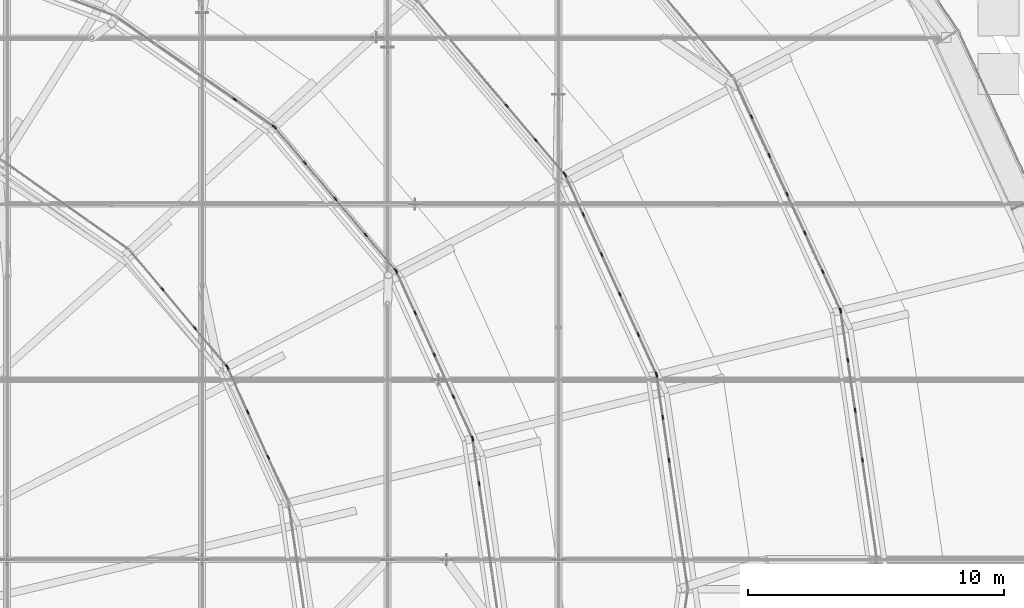
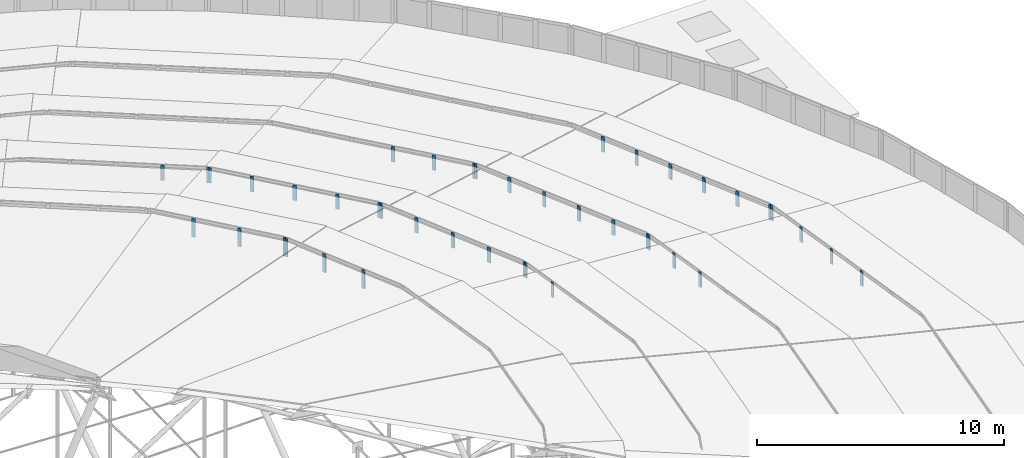
# One storey, part 134 of 173: 42 members, 11 elements without a shape of their own.
"""IFC4 building model written with IfcOpenShell, lengths in metres."""

from ifc_helpers import new_model, si_unit, direction, frame, origin, origin_2d, place, context, subcontext, project, spatial, rectangle, extrude, material, material_profile, profile_set, type_object, element, aggregate, save


model = new_model("IFC4")

# Units and contexts
model_context = context("Model", 3, precision=1e-05, world=origin(), true_north=direction((0.0, 1.0)))
body_context = subcontext(model_context, "Body", "Model", "MODEL_VIEW")
ifc_project = project(units=[si_unit("LENGTHUNIT", "METRE"), si_unit("AREAUNIT", "SQUARE_METRE"), si_unit("VOLUMEUNIT", "CUBIC_METRE"), si_unit("PLANEANGLEUNIT", "RADIAN"), si_unit("MASSUNIT", "GRAM", prefix="KILO")], contexts=[model_context])

# Site, building, storey
site_placement = place(None, origin())
site = spatial("IfcSite", under=ifc_project, at=site_placement, CompositionType="ELEMENT")
building_placement = place(site_placement, origin())
building = spatial("IfcBuilding", under=site, at=building_placement, Name="Glasvene Arena", CompositionType="ELEMENT")
storey_placement = place(building_placement, frame((0.0, 0.0, 28.800048828125)))
storey = spatial("IfcBuildingStorey", under=building, at=storey_placement, Name="RF", CompositionType="ELEMENT", Elevation=28.800048828125)

# Curtain wall, members
ifc_material_1 = material(Name="Low-emissivity laminated double glazing", Category="glass")
curtain_wall_type_1 = type_object("IfcCurtainWallType", Name="CW-PET1-986x75", PredefinedType="USERDEFINED", material=ifc_material_1)
curtain_wall_1_placement = place(storey_placement, frame((133.85009765625, 73.0, 0.0)))
curtain_wall_1 = element("IfcCurtainWall", 1, at=curtain_wall_1_placement, inside=storey, type_object=curtain_wall_type_1, Name="Petal ring 1-2 clerestory curtain wall 01", ObjectType="CURTAIN WALL", PredefinedType="USERDEFINED")
ifc_material_2 = material(Name="Anodised architectural aluminium", Category="aluminium")
ifc_material_profile = material_profile(ifc_material_2, rectangle(XDim=0.050048828125, YDim=0.159912109375, at=origin_2d()), Name="ALU MULLION 50x160")
ifc_profile_set = profile_set([ifc_material_profile], Name="Anodised architectural aluminium")
member_type = type_object("IfcMemberType", Name="CW-MUL-150", PredefinedType="MULLION", material=ifc_profile_set)
member_1_placement = place(storey_placement, frame((133.279541015625, 76.903076171875, 2.579833984375), z_axis=(0.0, 0.0, 1.0), x_axis=(-0.989489040641, -0.144607878249, 0.0)))
member_1 = element("IfcMember", 2, at=member_1_placement, type_object=member_type, Name="CW-081 mullion 3", PredefinedType="MULLION", context=body_context, shape_type="SweptSolid", body=[
    extrude(rectangle(XDim=0.050048828125, YDim=0.159912109375, at=origin_2d()), origin(), (0.0, 0.0, 1.0), 0.75),
])
member_2_placement = place(storey_placement, frame((132.994384765625, 78.8544921875, 2.579833984375), z_axis=(0.0, 0.0, 1.0), x_axis=(-0.989489040641, -0.144607878249, 0.0)))
member_2 = element("IfcMember", 3, at=member_2_placement, type_object=member_type, Name="CW-081 mullion 4", PredefinedType="MULLION", context=body_context, shape_type="SweptSolid", body=[
    extrude(rectangle(XDim=0.050048828125, YDim=0.159912109375, at=origin_2d()), origin(), (0.0, 0.0, 1.0), 0.75),
])
member_3_placement = place(storey_placement, frame((132.709228515625, 80.805908203125, 2.579833984375), z_axis=(0.0, 0.0, 1.0), x_axis=(-0.989489040641, -0.144607878249, 0.0)))
member_3 = element("IfcMember", 4, at=member_3_placement, type_object=member_type, Name="CW-081 mullion 5", PredefinedType="MULLION", context=body_context, shape_type="SweptSolid", body=[
    extrude(rectangle(XDim=0.050048828125, YDim=0.159912109375, at=origin_2d()), origin(), (0.0, 0.0, 1.0), 0.75),
])
member_4_placement = place(storey_placement, frame((132.427734375, 82.732666015625, 2.579833984375), z_axis=(0.0, 0.0, 1.0), x_axis=(-0.989489040641, -0.144607878249, 0.0)))
member_4 = element("IfcMember", 5, at=member_4_placement, type_object=member_type, Name="CW-081 mullion 6", PredefinedType="MULLION", context=body_context, shape_type="SweptSolid", body=[
    extrude(rectangle(XDim=0.050048828125, YDim=0.159912109375, at=origin_2d()), origin(), (0.0, 0.0, 1.0), 0.75),
])
aggregate(curtain_wall_1, [member_1, member_2, member_3, member_4])

curtain_wall_type_2 = type_object("IfcCurtainWallType", Name="CW-PET1-1001x75", PredefinedType="USERDEFINED", material=ifc_material_1)
curtain_wall_2_placement = place(storey_placement, frame((132.424072265625, 82.757568359375, 0.0)))
curtain_wall_2 = element("IfcCurtainWall", 6, at=curtain_wall_2_placement, inside=storey, type_object=curtain_wall_type_2, Name="Petal ring 1-2 clerestory curtain wall 02", ObjectType="CURTAIN WALL", PredefinedType="USERDEFINED")
member_5_placement = place(storey_placement, frame((132.41357421875, 82.7802734375, 2.579833984375), z_axis=(0.0, 0.0, 1.0), x_axis=(-0.908556831634, -0.41776127596, 0.0)))
member_5 = element("IfcMember", 7, at=member_5_placement, type_object=member_type, Name="CW-082 mullion 1", PredefinedType="MULLION", context=body_context, shape_type="SweptSolid", body=[
    extrude(rectangle(XDim=0.050048828125, YDim=0.159912109375, at=origin_2d()), origin(), (0.0, 0.0, 1.0), 0.75),
])
member_6_placement = place(storey_placement, frame((131.727294921875, 84.27294921875, 2.579833984375), z_axis=(0.0, 0.0, 1.0), x_axis=(-0.908556831634, -0.41776127596, 0.0)))
member_6 = element("IfcMember", 8, at=member_6_placement, type_object=member_type, Name="CW-082 mullion 2", PredefinedType="MULLION", context=body_context, shape_type="SweptSolid", body=[
    extrude(rectangle(XDim=0.050048828125, YDim=0.159912109375, at=origin_2d()), origin(), (0.0, 0.0, 1.0), 0.75),
])
member_7_placement = place(storey_placement, frame((131.030517578125, 85.788330078125, 2.579833984375), z_axis=(0.0, 0.0, 1.0), x_axis=(-0.908556831634, -0.41776127596, 0.0)))
member_7 = element("IfcMember", 9, at=member_7_placement, type_object=member_type, Name="CW-082 mullion 3", PredefinedType="MULLION", context=body_context, shape_type="SweptSolid", body=[
    extrude(rectangle(XDim=0.050048828125, YDim=0.159912109375, at=origin_2d()), origin(), (0.0, 0.0, 1.0), 0.75),
])
member_8_placement = place(storey_placement, frame((130.33349609375, 87.3037109375, 2.579833984375), z_axis=(0.0, 0.0, 1.0), x_axis=(-0.908556831634, -0.41776127596, 0.0)))
member_8 = element("IfcMember", 10, at=member_8_placement, type_object=member_type, Name="CW-082 mullion 4", PredefinedType="MULLION", context=body_context, shape_type="SweptSolid", body=[
    extrude(rectangle(XDim=0.050048828125, YDim=0.159912109375, at=origin_2d()), origin(), (0.0, 0.0, 1.0), 0.75),
])
member_9_placement = place(storey_placement, frame((129.63671875, 88.819091796875, 2.579833984375), z_axis=(0.0, 0.0, 1.0), x_axis=(-0.908556831634, -0.41776127596, 0.0)))
member_9 = element("IfcMember", 11, at=member_9_placement, type_object=member_type, Name="CW-082 mullion 5", PredefinedType="MULLION", context=body_context, shape_type="SweptSolid", body=[
    extrude(rectangle(XDim=0.050048828125, YDim=0.159912109375, at=origin_2d()), origin(), (0.0, 0.0, 1.0), 0.75),
])
member_10_placement = place(storey_placement, frame((128.93994140625, 90.33447265625, 2.579833984375), z_axis=(0.0, 0.0, 1.0), x_axis=(-0.908556831634, -0.41776127596, 0.0)))
member_10 = element("IfcMember", 12, at=member_10_placement, type_object=member_type, Name="CW-082 mullion 6", PredefinedType="MULLION", context=body_context, shape_type="SweptSolid", body=[
    extrude(rectangle(XDim=0.050048828125, YDim=0.159912109375, at=origin_2d()), origin(), (0.0, 0.0, 1.0), 0.75),
])
aggregate(curtain_wall_2, [member_5, member_6, member_7, member_8, member_9, member_10])

curtain_wall_type_3 = type_object("IfcCurtainWallType", Name="CW-PET2-849x75", PredefinedType="USERDEFINED", material=ifc_material_1)
curtain_wall_3_placement = place(storey_placement, frame((126.449951171875, 71.85009765625, 0.0)))
curtain_wall_3 = element("IfcCurtainWall", 13, at=curtain_wall_3_placement, inside=storey, type_object=curtain_wall_type_3, Name="Petal ring 2-3 clerestory curtain wall 01", ObjectType="CURTAIN WALL", PredefinedType="USERDEFINED")
member_11_placement = place(storey_placement, frame((125.716064453125, 76.88916015625, 5.179931640625), z_axis=(0.0, 0.0, 1.0), x_axis=(-0.98955837799, -0.144132635268, 0.0)))
member_11 = element("IfcMember", 14, at=member_11_placement, type_object=member_type, Name="CW-087 mullion 4", PredefinedType="MULLION", context=body_context, shape_type="SweptSolid", body=[
    extrude(rectangle(XDim=0.050048828125, YDim=0.159912109375, at=origin_2d()), origin(), (0.0, 0.0, 1.0), 0.75),
])
member_12_placement = place(storey_placement, frame((125.471435546875, 78.56884765625, 5.179931640625), z_axis=(0.0, 0.0, 1.0), x_axis=(-0.98955837799, -0.144132635268, 0.0)))
member_12 = element("IfcMember", 15, at=member_12_placement, type_object=member_type, Name="CW-087 mullion 5", PredefinedType="MULLION", context=body_context, shape_type="SweptSolid", body=[
    extrude(rectangle(XDim=0.050048828125, YDim=0.159912109375, at=origin_2d()), origin(), (0.0, 0.0, 1.0), 0.75),
])
member_13_placement = place(storey_placement, frame((125.230224609375, 80.223876953125, 5.179931640625), z_axis=(0.0, 0.0, 1.0), x_axis=(-0.98955837799, -0.144132635268, 0.0)))
member_13 = element("IfcMember", 16, at=member_13_placement, type_object=member_type, Name="CW-087 mullion 6", PredefinedType="MULLION", context=body_context, shape_type="SweptSolid", body=[
    extrude(rectangle(XDim=0.050048828125, YDim=0.159912109375, at=origin_2d()), origin(), (0.0, 0.0, 1.0), 0.75),
])
aggregate(curtain_wall_3, [member_11, member_12, member_13])

curtain_wall_type_4 = type_object("IfcCurtainWallType", Name="CW-PET2-861x75", PredefinedType="USERDEFINED", material=ifc_material_1)
curtain_wall_4_placement = place(storey_placement, frame((125.226806640625, 80.248779296875, 0.0)))
curtain_wall_4 = element("IfcCurtainWall", 17, at=curtain_wall_4_placement, inside=storey, type_object=curtain_wall_type_4, Name="Petal ring 2-3 clerestory curtain wall 02", ObjectType="CURTAIN WALL", PredefinedType="USERDEFINED")
member_14_placement = place(storey_placement, frame((125.21630859375, 80.271484375, 5.179931640625), z_axis=(0.0, 0.0, 1.0), x_axis=(-0.909093602111, -0.416591913749, 0.0)))
member_14 = element("IfcMember", 18, at=member_14_placement, type_object=member_type, Name="CW-088 mullion 1", PredefinedType="MULLION", context=body_context, shape_type="SweptSolid", body=[
    extrude(rectangle(XDim=0.050048828125, YDim=0.159912109375, at=origin_2d()), origin(), (0.0, 0.0, 1.0), 0.75),
])
member_15_placement = place(storey_placement, frame((124.509521484375, 81.81396484375, 5.179931640625), z_axis=(0.0, 0.0, 1.0), x_axis=(-0.909093602111, -0.416591913749, 0.0)))
member_15 = element("IfcMember", 19, at=member_15_placement, type_object=member_type, Name="CW-088 mullion 2", PredefinedType="MULLION", context=body_context, shape_type="SweptSolid", body=[
    extrude(rectangle(XDim=0.050048828125, YDim=0.159912109375, at=origin_2d()), origin(), (0.0, 0.0, 1.0), 0.75),
])
member_16_placement = place(storey_placement, frame((123.792236328125, 83.379150390625, 5.179931640625), z_axis=(0.0, 0.0, 1.0), x_axis=(-0.909093602111, -0.416591913749, 0.0)))
member_16 = element("IfcMember", 20, at=member_16_placement, type_object=member_type, Name="CW-088 mullion 3", PredefinedType="MULLION", context=body_context, shape_type="SweptSolid", body=[
    extrude(rectangle(XDim=0.050048828125, YDim=0.159912109375, at=origin_2d()), origin(), (0.0, 0.0, 1.0), 0.75),
])
member_17_placement = place(storey_placement, frame((123.074951171875, 84.944580078125, 5.179931640625), z_axis=(0.0, 0.0, 1.0), x_axis=(-0.909093602111, -0.416591913749, 0.0)))
member_17 = element("IfcMember", 21, at=member_17_placement, type_object=member_type, Name="CW-088 mullion 4", PredefinedType="MULLION", context=body_context, shape_type="SweptSolid", body=[
    extrude(rectangle(XDim=0.050048828125, YDim=0.159912109375, at=origin_2d()), origin(), (0.0, 0.0, 1.0), 0.75),
])
member_18_placement = place(storey_placement, frame((122.357666015625, 86.509765625, 5.179931640625), z_axis=(0.0, 0.0, 1.0), x_axis=(-0.909093602111, -0.416591913749, 0.0)))
member_18 = element("IfcMember", 22, at=member_18_placement, type_object=member_type, Name="CW-088 mullion 5", PredefinedType="MULLION", context=body_context, shape_type="SweptSolid", body=[
    extrude(rectangle(XDim=0.050048828125, YDim=0.159912109375, at=origin_2d()), origin(), (0.0, 0.0, 1.0), 0.75),
])
member_19_placement = place(storey_placement, frame((121.650634765625, 88.05224609375, 5.179931640625), z_axis=(0.0, 0.0, 1.0), x_axis=(-0.909093602111, -0.416591913749, 0.0)))
member_19 = element("IfcMember", 23, at=member_19_placement, type_object=member_type, Name="CW-088 mullion 6", PredefinedType="MULLION", context=body_context, shape_type="SweptSolid", body=[
    extrude(rectangle(XDim=0.050048828125, YDim=0.159912109375, at=origin_2d()), origin(), (0.0, 0.0, 1.0), 0.75),
])
aggregate(curtain_wall_4, [member_14, member_15, member_16, member_17, member_18, member_19])

curtain_wall_type_5 = type_object("IfcCurtainWallType", Name="CW-PET2-882x75", PredefinedType="USERDEFINED", material=ifc_material_1)
curtain_wall_5_placement = place(storey_placement, frame((121.640380859375, 88.074951171875, 0.0)))
curtain_wall_5 = element("IfcCurtainWall", 24, at=curtain_wall_5_placement, inside=storey, type_object=curtain_wall_type_5, Name="Petal ring 2-3 clerestory curtain wall 03", ObjectType="CURTAIN WALL", PredefinedType="USERDEFINED")
member_20_placement = place(storey_placement, frame((121.6240234375, 88.093994140625, 5.179931640625), z_axis=(0.0, 0.0, 1.0), x_axis=(-0.762348353305, -0.647166893632, 0.0)))
member_20 = element("IfcMember", 25, at=member_20_placement, type_object=member_type, Name="CW-089 mullion 1", PredefinedType="MULLION", context=body_context, shape_type="SweptSolid", body=[
    extrude(rectangle(XDim=0.050048828125, YDim=0.159912109375, at=origin_2d()), origin(), (0.0, 0.0, 1.0), 0.75),
])
member_21_placement = place(storey_placement, frame((120.499267578125, 89.419189453125, 5.179931640625), z_axis=(0.0, 0.0, 1.0), x_axis=(-0.762348353305, -0.647166893632, 0.0)))
member_21 = element("IfcMember", 26, at=member_21_placement, type_object=member_type, Name="CW-089 mullion 2", PredefinedType="MULLION", context=body_context, shape_type="SweptSolid", body=[
    extrude(rectangle(XDim=0.050048828125, YDim=0.159912109375, at=origin_2d()), origin(), (0.0, 0.0, 1.0), 0.75),
])
member_22_placement = place(storey_placement, frame((119.358154296875, 90.76318359375, 5.179931640625), z_axis=(0.0, 0.0, 1.0), x_axis=(-0.762348353305, -0.647166893632, 0.0)))
member_22 = element("IfcMember", 27, at=member_22_placement, type_object=member_type, Name="CW-089 mullion 3", PredefinedType="MULLION", context=body_context, shape_type="SweptSolid", body=[
    extrude(rectangle(XDim=0.050048828125, YDim=0.159912109375, at=origin_2d()), origin(), (0.0, 0.0, 1.0), 0.75),
])
aggregate(curtain_wall_5, [member_20, member_21, member_22])

curtain_wall_type_6 = type_object("IfcCurtainWallType", Name="CW-PET3-711x75", PredefinedType="USERDEFINED", material=ifc_material_1)
curtain_wall_6_placement = place(storey_placement, frame((119.050048828125, 70.699951171875, 0.0)))
curtain_wall_6 = element("IfcCurtainWall", 28, at=curtain_wall_6_placement, inside=storey, type_object=curtain_wall_type_6, Name="Petal ring 3-4 clerestory curtain wall 01", ObjectType="CURTAIN WALL", PredefinedType="USERDEFINED")
member_23_placement = place(storey_placement, frame((118.28466796875, 75.97998046875, 7.829833984375), z_axis=(0.0, 0.0, 1.0), x_axis=(-0.989656115979, -0.143460001758, 0.0)))
member_23 = element("IfcMember", 29, at=member_23_placement, type_object=member_type, Name="CW-093 mullion 4", PredefinedType="MULLION", context=body_context, shape_type="SweptSolid", body=[
    extrude(rectangle(XDim=0.050048828125, YDim=0.159912109375, at=origin_2d()), origin(), (0.0, 0.0, 1.0), 0.75),
])
member_24_placement = place(storey_placement, frame((118.033203125, 77.715087890625, 7.829833984375), z_axis=(0.0, 0.0, 1.0), x_axis=(-0.989656115979, -0.143460001758, 0.0)))
member_24 = element("IfcMember", 30, at=member_24_placement, type_object=member_type, Name="CW-093 mullion 5", PredefinedType="MULLION", context=body_context, shape_type="SweptSolid", body=[
    extrude(rectangle(XDim=0.050048828125, YDim=0.159912109375, at=origin_2d()), origin(), (0.0, 0.0, 1.0), 0.75),
])
aggregate(curtain_wall_6, [member_23, member_24])

curtain_wall_type_7 = type_object("IfcCurtainWallType", Name="CW-PET3-721x75", PredefinedType="USERDEFINED", material=ifc_material_1)
curtain_wall_7_placement = place(storey_placement, frame((118.029541015625, 77.739990234375, 0.0)))
curtain_wall_7 = element("IfcCurtainWall", 31, at=curtain_wall_7_placement, inside=storey, type_object=curtain_wall_type_7, Name="Petal ring 3-4 clerestory curtain wall 02", ObjectType="CURTAIN WALL", PredefinedType="USERDEFINED")
member_25_placement = place(storey_placement, frame((118.01904296875, 77.7626953125, 7.829833984375), z_axis=(0.0, 0.0, 1.0), x_axis=(-0.909836135842, -0.414967716717, 0.0)))
member_25 = element("IfcMember", 32, at=member_25_placement, type_object=member_type, Name="CW-094 mullion 1", PredefinedType="MULLION", context=body_context, shape_type="SweptSolid", body=[
    extrude(rectangle(XDim=0.050048828125, YDim=0.159912109375, at=origin_2d()), origin(), (0.0, 0.0, 1.0), 0.75),
])
member_26_placement = place(storey_placement, frame((117.281494140625, 79.3798828125, 7.829833984375), z_axis=(0.0, 0.0, 1.0), x_axis=(-0.909836135842, -0.414967716717, 0.0)))
member_26 = element("IfcMember", 33, at=member_26_placement, type_object=member_type, Name="CW-094 mullion 2", PredefinedType="MULLION", context=body_context, shape_type="SweptSolid", body=[
    extrude(rectangle(XDim=0.050048828125, YDim=0.159912109375, at=origin_2d()), origin(), (0.0, 0.0, 1.0), 0.75),
])
member_27_placement = place(storey_placement, frame((116.533447265625, 81.02001953125, 7.829833984375), z_axis=(0.0, 0.0, 1.0), x_axis=(-0.909836135842, -0.414967716717, 0.0)))
member_27 = element("IfcMember", 34, at=member_27_placement, type_object=member_type, Name="CW-094 mullion 3", PredefinedType="MULLION", context=body_context, shape_type="SweptSolid", body=[
    extrude(rectangle(XDim=0.050048828125, YDim=0.159912109375, at=origin_2d()), origin(), (0.0, 0.0, 1.0), 0.75),
])
member_28_placement = place(storey_placement, frame((115.785400390625, 82.659912109375, 7.829833984375), z_axis=(0.0, 0.0, 1.0), x_axis=(-0.909836135842, -0.414967716717, 0.0)))
member_28 = element("IfcMember", 35, at=member_28_placement, type_object=member_type, Name="CW-094 mullion 4", PredefinedType="MULLION", context=body_context, shape_type="SweptSolid", body=[
    extrude(rectangle(XDim=0.050048828125, YDim=0.159912109375, at=origin_2d()), origin(), (0.0, 0.0, 1.0), 0.75),
])
member_29_placement = place(storey_placement, frame((115.0478515625, 84.27734375, 7.829833984375), z_axis=(0.0, 0.0, 1.0), x_axis=(-0.909836135842, -0.414967716717, 0.0)))
member_29 = element("IfcMember", 36, at=member_29_placement, type_object=member_type, Name="CW-094 mullion 5", PredefinedType="MULLION", context=body_context, shape_type="SweptSolid", body=[
    extrude(rectangle(XDim=0.050048828125, YDim=0.159912109375, at=origin_2d()), origin(), (0.0, 0.0, 1.0), 0.75),
])
aggregate(curtain_wall_7, [member_25, member_26, member_27, member_28, member_29])

curtain_wall_type_8 = type_object("IfcCurtainWallType", Name="CW-PET3-737x75", PredefinedType="USERDEFINED", material=ifc_material_1)
curtain_wall_8_placement = place(storey_placement, frame((115.03759765625, 84.300048828125, 0.0)))
curtain_wall_8 = element("IfcCurtainWall", 37, at=curtain_wall_8_placement, inside=storey, type_object=curtain_wall_type_8, Name="Petal ring 3-4 clerestory curtain wall 03", ObjectType="CURTAIN WALL", PredefinedType="USERDEFINED")
member_30_placement = place(storey_placement, frame((115.021484375, 84.319091796875, 7.829833984375), z_axis=(0.0, 0.0, 1.0), x_axis=(-0.763850012044, -0.645393801566, 0.0)))
member_30 = element("IfcMember", 38, at=member_30_placement, type_object=member_type, Name="CW-095 mullion 1", PredefinedType="MULLION", context=body_context, shape_type="SweptSolid", body=[
    extrude(rectangle(XDim=0.050048828125, YDim=0.159912109375, at=origin_2d()), origin(), (0.0, 0.0, 1.0), 0.75),
])
member_31_placement = place(storey_placement, frame((113.84765625, 85.708251953125, 7.829833984375), z_axis=(0.0, 0.0, 1.0), x_axis=(-0.763850012044, -0.645393801566, 0.0)))
member_31 = element("IfcMember", 39, at=member_31_placement, type_object=member_type, Name="CW-095 mullion 2", PredefinedType="MULLION", context=body_context, shape_type="SweptSolid", body=[
    extrude(rectangle(XDim=0.050048828125, YDim=0.159912109375, at=origin_2d()), origin(), (0.0, 0.0, 1.0), 0.75),
])
member_32_placement = place(storey_placement, frame((112.65771484375, 87.11669921875, 7.829833984375), z_axis=(0.0, 0.0, 1.0), x_axis=(-0.763850012044, -0.645393801566, 0.0)))
member_32 = element("IfcMember", 40, at=member_32_placement, type_object=member_type, Name="CW-095 mullion 3", PredefinedType="MULLION", context=body_context, shape_type="SweptSolid", body=[
    extrude(rectangle(XDim=0.050048828125, YDim=0.159912109375, at=origin_2d()), origin(), (0.0, 0.0, 1.0), 0.75),
])
member_33_placement = place(storey_placement, frame((111.4677734375, 88.52490234375, 7.829833984375), z_axis=(0.0, 0.0, 1.0), x_axis=(-0.763850012044, -0.645393801566, 0.0)))
member_33 = element("IfcMember", 41, at=member_33_placement, type_object=member_type, Name="CW-095 mullion 4", PredefinedType="MULLION", context=body_context, shape_type="SweptSolid", body=[
    extrude(rectangle(XDim=0.050048828125, YDim=0.159912109375, at=origin_2d()), origin(), (0.0, 0.0, 1.0), 0.75),
])
member_34_placement = place(storey_placement, frame((110.2939453125, 89.914306640625, 7.829833984375), z_axis=(0.0, 0.0, 1.0), x_axis=(-0.763850012044, -0.645393801566, 0.0)))
member_34 = element("IfcMember", 42, at=member_34_placement, type_object=member_type, Name="CW-095 mullion 5", PredefinedType="MULLION", context=body_context, shape_type="SweptSolid", body=[
    extrude(rectangle(XDim=0.050048828125, YDim=0.159912109375, at=origin_2d()), origin(), (0.0, 0.0, 1.0), 0.75),
])
aggregate(curtain_wall_8, [member_30, member_31, member_32, member_33, member_34])

curtain_wall_type_9 = type_object("IfcCurtainWallType", Name="CW-PET3-756x75", PredefinedType="USERDEFINED", material=ifc_material_1)
curtain_wall_9_placement = place(storey_placement, frame((110.27783203125, 89.933349609375, 0.0)))
curtain_wall_9 = element("IfcCurtainWall", 43, at=curtain_wall_9_placement, inside=storey, type_object=curtain_wall_type_9, Name="Petal ring 3-4 clerestory curtain wall 04", ObjectType="CURTAIN WALL", PredefinedType="USERDEFINED")
member_35_placement = place(storey_placement, frame((110.25732421875, 89.947509765625, 7.829833984375), z_axis=(0.0, 0.0, 1.0), x_axis=(-0.571742483725, -0.82043313701, 0.0)))
member_35 = element("IfcMember", 44, at=member_35_placement, type_object=member_type, Name="CW-096 mullion 1", PredefinedType="MULLION", context=body_context, shape_type="SweptSolid", body=[
    extrude(rectangle(XDim=0.050048828125, YDim=0.159912109375, at=origin_2d()), origin(), (0.0, 0.0, 1.0), 0.75),
])
member_36_placement = place(storey_placement, frame((108.72705078125, 91.013916015625, 7.829833984375), z_axis=(0.0, 0.0, 1.0), x_axis=(-0.571742483725, -0.82043313701, 0.0)))
member_36 = element("IfcMember", 45, at=member_36_placement, type_object=member_type, Name="CW-096 mullion 2", PredefinedType="MULLION", context=body_context, shape_type="SweptSolid", body=[
    extrude(rectangle(XDim=0.050048828125, YDim=0.159912109375, at=origin_2d()), origin(), (0.0, 0.0, 1.0), 0.75),
])
aggregate(curtain_wall_9, [member_35, member_36])

curtain_wall_type_10 = type_object("IfcCurtainWallType", Name="CW-PET4-582x92", PredefinedType="USERDEFINED", material=ifc_material_1)
curtain_wall_10_placement = place(storey_placement, frame((110.832275390625, 75.243896484375, 0.0)))
curtain_wall_10 = element("IfcCurtainWall", 46, at=curtain_wall_10_placement, inside=storey, type_object=curtain_wall_type_10, Name="Petal ring 4-5 clerestory curtain wall 02", ObjectType="CURTAIN WALL", PredefinedType="USERDEFINED")
member_37_placement = place(storey_placement, frame((110.032958984375, 77.0126953125, 10.530029296875), z_axis=(0.0, 0.0, 1.0), x_axis=(-0.911284127649, -0.411778142566, 0.0)))
member_37 = element("IfcMember", 47, at=member_37_placement, type_object=member_type, Name="CW-100 mullion 2", PredefinedType="MULLION", context=body_context, shape_type="SweptSolid", body=[
    extrude(rectangle(XDim=0.050048828125, YDim=0.159912109375, at=origin_2d()), origin(), (0.0, 0.0, 1.0), 0.916015625),
])
member_38_placement = place(storey_placement, frame((109.23388671875, 78.78125, 10.530029296875), z_axis=(0.0, 0.0, 1.0), x_axis=(-0.911284127649, -0.411778142566, 0.0)))
member_38 = element("IfcMember", 48, at=member_38_placement, type_object=member_type, Name="CW-100 mullion 3", PredefinedType="MULLION", context=body_context, shape_type="SweptSolid", body=[
    extrude(rectangle(XDim=0.050048828125, YDim=0.159912109375, at=origin_2d()), origin(), (0.0, 0.0, 1.0), 0.916015625),
])
member_39_placement = place(storey_placement, frame((108.44482421875, 80.527099609375, 10.530029296875), z_axis=(0.0, 0.0, 1.0), x_axis=(-0.911284127649, -0.411778142566, 0.0)))
member_39 = element("IfcMember", 49, at=member_39_placement, type_object=member_type, Name="CW-100 mullion 4", PredefinedType="MULLION", context=body_context, shape_type="SweptSolid", body=[
    extrude(rectangle(XDim=0.050048828125, YDim=0.159912109375, at=origin_2d()), origin(), (0.0, 0.0, 1.0), 0.916015625),
])
aggregate(curtain_wall_10, [member_37, member_38, member_39])

curtain_wall_type_11 = type_object("IfcCurtainWallType", Name="CW-PET4-594x92", PredefinedType="USERDEFINED", material=ifc_material_1)
curtain_wall_11_placement = place(storey_placement, frame((108.4345703125, 80.550048828125, 0.0)))
curtain_wall_11 = element("IfcCurtainWall", 50, at=curtain_wall_11_placement, inside=storey, type_object=curtain_wall_type_11, Name="Petal ring 4-5 clerestory curtain wall 03", ObjectType="CURTAIN WALL", PredefinedType="USERDEFINED")
member_40_placement = place(storey_placement, frame((108.41845703125, 80.569091796875, 10.530029296875), z_axis=(0.0, 0.0, 1.0), x_axis=(-0.766805446496, -0.64187958935, 0.0)))
member_40 = element("IfcMember", 51, at=member_40_placement, type_object=member_type, Name="CW-101 mullion 1", PredefinedType="MULLION", context=body_context, shape_type="SweptSolid", body=[
    extrude(rectangle(XDim=0.050048828125, YDim=0.159912109375, at=origin_2d()), origin(), (0.0, 0.0, 1.0), 0.916015625),
])
member_41_placement = place(storey_placement, frame((107.163330078125, 82.06884765625, 10.530029296875), z_axis=(0.0, 0.0, 1.0), x_axis=(-0.766805446496, -0.64187958935, 0.0)))
member_41 = element("IfcMember", 52, at=member_41_placement, type_object=member_type, Name="CW-101 mullion 2", PredefinedType="MULLION", context=body_context, shape_type="SweptSolid", body=[
    extrude(rectangle(XDim=0.050048828125, YDim=0.159912109375, at=origin_2d()), origin(), (0.0, 0.0, 1.0), 0.916015625),
])
member_42_placement = place(storey_placement, frame((105.891845703125, 83.587646484375, 10.530029296875), z_axis=(0.0, 0.0, 1.0), x_axis=(-0.766805446496, -0.64187958935, 0.0)))
member_42 = element("IfcMember", 53, at=member_42_placement, type_object=member_type, Name="CW-101 mullion 3", PredefinedType="MULLION", context=body_context, shape_type="SweptSolid", body=[
    extrude(rectangle(XDim=0.050048828125, YDim=0.159912109375, at=origin_2d()), origin(), (0.0, 0.0, 1.0), 0.916015625),
])
aggregate(curtain_wall_11, [member_40, member_41, member_42])

save(model, "model.ifc")
